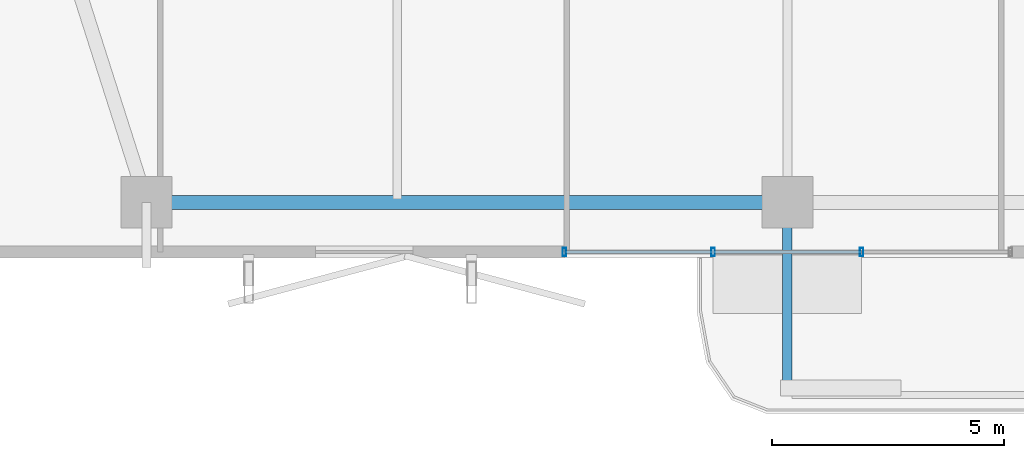
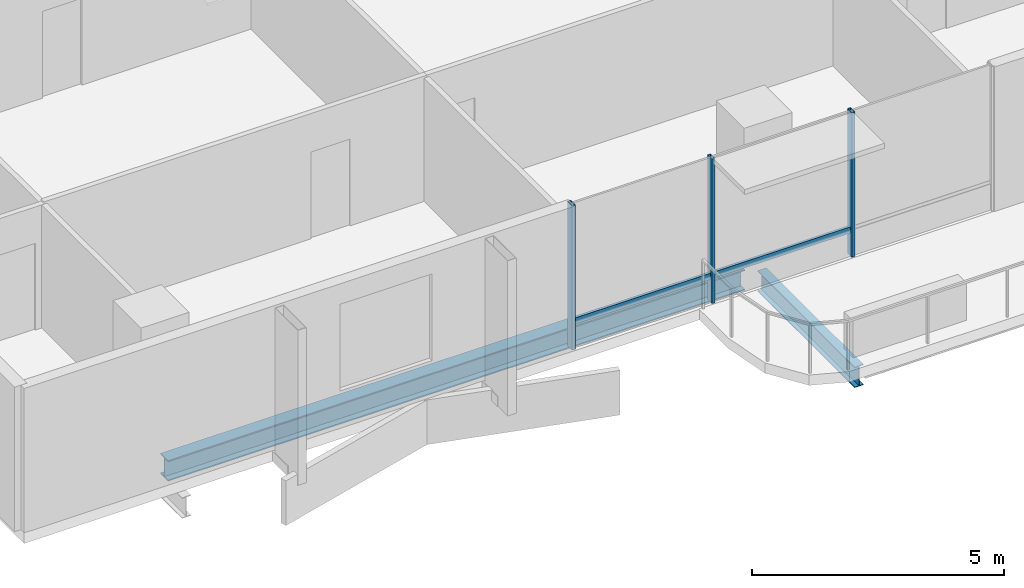
# One storey, part 2 of 25: 5 members, 2 beams, 1 element without a shape of its own.
"""IFC4 building model written with IfcOpenShell, lengths in metres."""

from ifc_helpers import new_model, si_unit, direction, frame, origin, origin_2d, place, context, subcontext, project, spatial, hollow_rectangle, i_section, extrude, material, layer, layer_set, material_profile, profile_set, type_object, element, aggregate, save


model = new_model("IFC4")

# Units and contexts
model_context = context("Model", 3, precision=1e-05, world=origin(), true_north=direction((0.0, 1.0)))
body_context = subcontext(model_context, "Body", "Model", "MODEL_VIEW")
ifc_project = project(units=[si_unit("LENGTHUNIT", "METRE"), si_unit("AREAUNIT", "SQUARE_METRE"), si_unit("VOLUMEUNIT", "CUBIC_METRE"), si_unit("PLANEANGLEUNIT", "RADIAN"), si_unit("MASSUNIT", "GRAM", prefix="KILO")], contexts=[model_context])

# Site, building, storey
site_placement = place(None, origin())
site = spatial("IfcSite", under=ifc_project, at=site_placement, CompositionType="ELEMENT")
building_placement = place(site_placement, origin())
building = spatial("IfcBuilding", under=site, at=building_placement, Name="Belovzor Exchange Tower", CompositionType="ELEMENT")
storey_placement = place(building_placement, frame((0.0, 0.0, 187.050048828125)))
storey = spatial("IfcBuildingStorey", under=building, at=storey_placement, Name="L46", CompositionType="ELEMENT", Elevation=187.050048828125)

# Beam
ifc_material_1 = material(Name="Steel S355", Category="steel")
ifc_material_profile_1 = material_profile(ifc_material_1, i_section(OverallWidth=0.199951171875, OverallDepth=0.5, WebThickness=0.01025390625, FlangeThickness=0.01611328125, at=origin_2d()))
ifc_profile_set_1 = profile_set([ifc_material_profile_1], Name="Steel S355")
beam_type_1 = type_object("IfcBeamType", Name="Planted Balcony Cantilever Beam IPE 500", PredefinedType="BEAM", material=ifc_profile_set_1)
beam_1_placement = place(storey_placement, frame((28.800048828125, 5.39697265625, -0.505126953125), z_axis=(0.0, -1.0, 0.0), x_axis=(1.0, 0.0, 0.0)))
element("IfcBeam", 1, at=beam_1_placement, inside=storey, type_object=beam_type_1, Name="BC-500 Planted Balcony Cantilever Beam IPE 500", PredefinedType="BEAM", context=body_context, shape_type="SweptSolid", body=[
    extrude(i_section(OverallWidth=0.199951171875, OverallDepth=0.5, WebThickness=0.01025390625, FlangeThickness=0.01611328125, at=origin_2d()), origin(), (0.0, 0.0, 1.0), 3.849853515625),
])

# Curtain wall, members
ifc_material_2 = material(Name="Anodised Aluminium Framing", Category="aluminium")
ifc_layer = layer(ifc_material_2, 0.179931640625)
ifc_layer_set = layer_set([ifc_layer], Name="Anodised Aluminium Framing")
curtain_wall_type = type_object("IfcCurtainWallType", Name="Recessed Loggia Low-Iron Triple-Glazed Curtain Wall", PredefinedType="NOTDEFINED", material=ifc_layer_set)
curtain_wall_placement = place(storey_placement, origin())
curtain_wall = element("IfcCurtainWall", 2, at=curtain_wall_placement, inside=storey, type_object=curtain_wall_type, Name="CW3 Recessed Loggia Low-Iron Triple-Glazed Curtain Wall L46", PredefinedType="NOTDEFINED")
ifc_material_3 = material(Name="Steel S355", Category="steel")
ifc_material_profile_2 = material_profile(ifc_material_3, hollow_rectangle(XDim=0.074951171875, YDim=0.179931640625, WallThickness=0.0048828125, at=origin_2d()))
ifc_profile_set_2 = profile_set([ifc_material_profile_2], Name="Steel S355")
member_type_1 = type_object("IfcMemberType", Name="Thermally Broken Curtain Wall Mullion 180x75", PredefinedType="MULLION", material=ifc_profile_set_2)
member_1_placement = place(storey_placement, frame((30.39990234375, 4.6298828125, 0.0), z_axis=(0.0, 0.0, 1.0), x_axis=(-1.0, 0.0, 0.0)))
member_1 = element("IfcMember", 3, at=member_1_placement, type_object=member_type_1, Name="CW-M180 Curtain Wall Mullion 2", PredefinedType="MULLION", context=body_context, shape_type="SweptSolid", body=[
    extrude(hollow_rectangle(XDim=0.074951171875, YDim=0.179931640625, WallThickness=0.0048828125, at=origin_2d()), origin(), (0.0, 0.0, 1.0), 3.494873046875),
])
member_2_placement = place(storey_placement, frame((27.199951171875, 4.6298828125, 0.0), z_axis=(0.0, 0.0, 1.0), x_axis=(-1.0, 0.0, 0.0)))
member_2 = element("IfcMember", 4, at=member_2_placement, type_object=member_type_1, Name="CW-M180 Curtain Wall Mullion 3", PredefinedType="MULLION", context=body_context, shape_type="SweptSolid", body=[
    extrude(hollow_rectangle(XDim=0.074951171875, YDim=0.179931640625, WallThickness=0.0048828125, at=origin_2d()), origin(), (0.0, 0.0, 1.0), 3.494873046875),
])
member_3_placement = place(storey_placement, frame((24.0, 4.6298828125, 0.0), z_axis=(0.0, 0.0, 1.0), x_axis=(-1.0, 0.0, 0.0)))
member_3 = element("IfcMember", 5, at=member_3_placement, type_object=member_type_1, Name="CW-M180 Curtain Wall Mullion 4", PredefinedType="MULLION", context=body_context, shape_type="SweptSolid", body=[
    extrude(hollow_rectangle(XDim=0.074951171875, YDim=0.179931640625, WallThickness=0.0048828125, at=origin_2d()), origin(), (0.0, 0.0, 1.0), 3.494873046875),
])
ifc_material_4 = material(Name="Steel S355", Category="steel")
ifc_material_profile_3 = material_profile(ifc_material_4, hollow_rectangle(XDim=0.06005859375, YDim=0.14990234375, WallThickness=0.00390625, at=origin_2d()))
ifc_profile_set_3 = profile_set([ifc_material_profile_3], Name="Steel S355")
member_type_2 = type_object("IfcMemberType", Name="Thermally Broken Curtain Wall Transom 150x60", PredefinedType="USERDEFINED", material=ifc_profile_set_3)
member_4_placement = place(storey_placement, frame((30.39208984375, 4.6298828125, 0.62890625), z_axis=(-1.0, 0.0, 0.0), x_axis=(0.0, -1.0, 0.0)))
member_4 = element("IfcMember", 6, at=member_4_placement, type_object=member_type_2, Name="CW-T150 Curtain Wall Transom 2", ObjectType="TRANSOM", PredefinedType="USERDEFINED", context=body_context, shape_type="SweptSolid", body=[
    extrude(hollow_rectangle(XDim=0.06005859375, YDim=0.14990234375, WallThickness=0.00390625, at=origin_2d()), origin(), (0.0, 0.0, 1.0), 3.18408203125),
])
member_5_placement = place(storey_placement, frame((27.19189453125, 4.6298828125, 0.62890625), z_axis=(-1.0, 0.0, 0.0), x_axis=(0.0, -1.0, 0.0)))
member_5 = element("IfcMember", 7, at=member_5_placement, type_object=member_type_2, Name="CW-T150 Curtain Wall Transom 3", ObjectType="TRANSOM", PredefinedType="USERDEFINED", context=body_context, shape_type="SweptSolid", body=[
    extrude(hollow_rectangle(XDim=0.06005859375, YDim=0.14990234375, WallThickness=0.00390625, at=origin_2d()), origin(), (0.0, 0.0, 1.0), 3.183837890625),
])
aggregate(curtain_wall, [member_1, member_2, member_3, member_4, member_5])

# Beam
ifc_material_5 = material(Name="Steel S355", Category="steel")
ifc_material_profile_4 = material_profile(ifc_material_5, i_section(OverallWidth=0.300048828125, OverallDepth=0.5, WebThickness=0.014404296875, FlangeThickness=0.028076171875, at=origin_2d()))
ifc_profile_set_4 = profile_set([ifc_material_profile_4], Name="Steel S355")
beam_type_2 = type_object("IfcBeamType", Name="Zone 3 Waist Primary Girder HEB 500", PredefinedType="BEAM", material=ifc_profile_set_4)
beam_2_placement = place(storey_placement, frame((15.302978515625, 5.699951171875, -0.505126953125), z_axis=(1.0, 0.0, 0.0), x_axis=(0.0, 1.0, 0.0)))
element("IfcBeam", 8, at=beam_2_placement, inside=storey, type_object=beam_type_2, Name="FG-Z3 Zone 3 Waist Primary Girder HEB 500", PredefinedType="BEAM", context=body_context, shape_type="SweptSolid", body=[
    extrude(i_section(OverallWidth=0.300048828125, OverallDepth=0.5, WebThickness=0.014404296875, FlangeThickness=0.028076171875, at=origin_2d()), origin(), (0.0, 0.0, 1.0), 13.195068359375),
])

save(model, "model.ifc")
